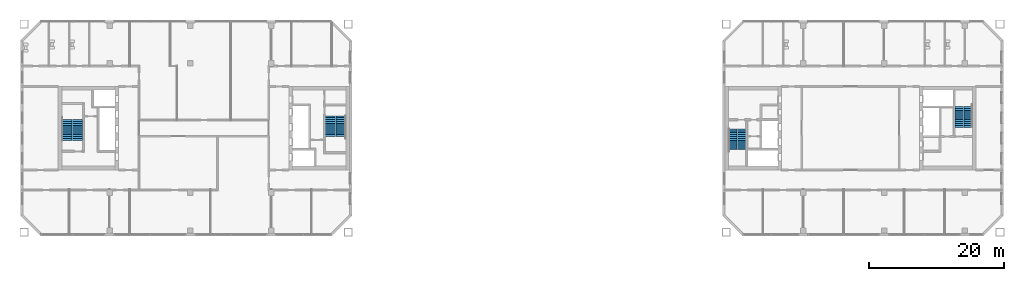
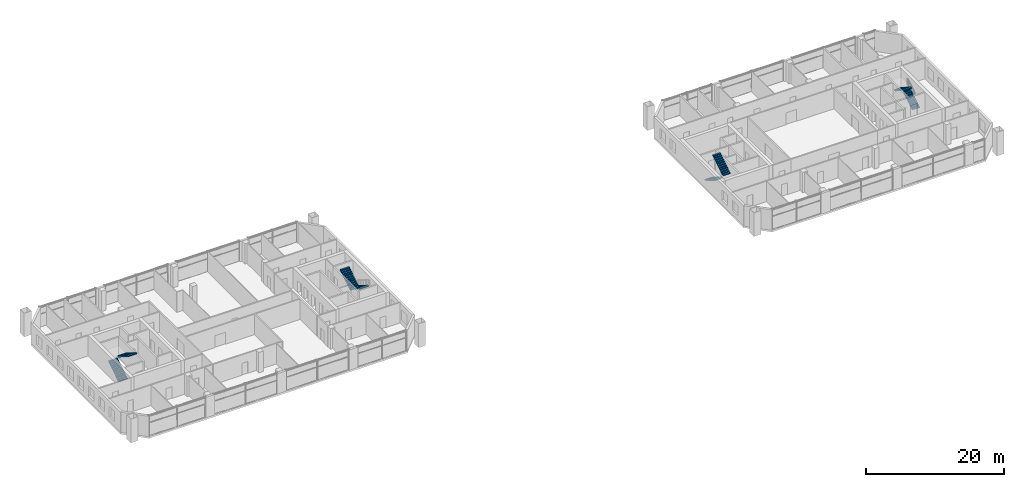
# One storey, part 15 of 17: 8 stair flights, 4 elements without a shape of their own.
"""IFC4 building model written with IfcOpenShell, lengths in metres."""

from ifc_helpers import new_model, si_unit, direction, frame, origin, place, context, subcontext, project, spatial, polyline, outline, extrude, material, type_object, element, aggregate, save


model = new_model("IFC4")

# Units and contexts
model_context = context("Model", 3, precision=1e-05, world=origin(), true_north=direction((0.0, 1.0)))
body_context = subcontext(model_context, "Body", "Model", "MODEL_VIEW")
ifc_project = project(units=[si_unit("LENGTHUNIT", "METRE"), si_unit("AREAUNIT", "SQUARE_METRE"), si_unit("VOLUMEUNIT", "CUBIC_METRE"), si_unit("PLANEANGLEUNIT", "RADIAN"), si_unit("MASSUNIT", "GRAM", prefix="KILO")], contexts=[model_context])

# Site, building, storey
site_placement = place(None, origin())
site = spatial("IfcSite", under=ifc_project, at=site_placement, CompositionType="ELEMENT")
building_placement = place(site_placement, origin())
building = spatial("IfcBuilding", under=site, at=building_placement, Name="Tuart Gate Housing", CompositionType="ELEMENT")
storey_placement = place(building_placement, frame((0.0, 0.0, 119.5)))
storey = spatial("IfcBuildingStorey", under=building, at=storey_placement, Name="L33", CompositionType="ELEMENT", Elevation=119.5)

# Stair, stair flights
ifc_material_1 = material(Name="Concrete C40", Category="concrete")
stair_type_1 = type_object("IfcStairType", Name="Core stair 1250", PredefinedType="HALF_TURN_STAIR", material=ifc_material_1)
stair_1_placement = place(storey_placement, origin())
stair_1 = element("IfcStair", 1, at=stair_1_placement, inside=storey, type_object=stair_type_1, Name="Stair SB1", PredefinedType="HALF_TURN_STAIR")
ifc_material_2 = material(Name="Concrete C40", Category="concrete")
stair_flight_type_1 = type_object("IfcStairFlightType", Name="Stair flight 1250, 12 risers 175 x 280", PredefinedType="STRAIGHT", material=ifc_material_2)
stair_flight_1_placement = place(storey_placement, frame((132.534912109375, 69.875, 0.0), z_axis=(0.0, 0.0, 1.0), x_axis=(0.0, -1.0, 0.0)))
stair_flight_1 = element("IfcStairFlight", 2, at=stair_flight_1_placement, type_object=stair_flight_type_1, Name="SB1 flight 1", NumberOfRisers=12, NumberOfTreads=11, PredefinedType="STRAIGHT", RiserHeight=0.175, TreadLength=0.28, context=body_context, shape_type="SweptSolid", body=[
    extrude(outline(polyline([(0.0, 0.0), (0.0, 0.175048828125), (0.280029296875, 0.175048828125), (0.280029296875, 0.35009765625), (0.56005859375, 0.35009765625), (0.56005859375, 0.52490234375), (0.840087890625, 0.52490234375), (0.840087890625, 0.699951171875), (1.1201171875, 0.699951171875), (1.1201171875, 0.875), (1.39990234375, 0.875), (1.39990234375, 1.050048828125), (1.679931640625, 1.050048828125), (1.679931640625, 1.22509765625), (1.9599609375, 1.22509765625), (1.9599609375, 1.39990234375), (2.239990234375, 1.39990234375), (2.239990234375, 1.574951171875), (2.52001953125, 1.574951171875), (2.52001953125, 1.75), (2.800048828125, 1.75), (2.800048828125, 1.925048828125), (3.080078125, 1.925048828125), (3.080078125, 2.10009765625), (3.080078125, 1.748291015625), (0.28271484375, 0.0), (0.0, 0.0)])), frame((0.0, 0.625, 0.0), z_axis=(0.0, -1.0, 0.0), x_axis=(1.0, 0.0, 0.0)), (0.0, 0.0, 1.0), 1.25),
])
stair_flight_2_placement = place(storey_placement, frame((133.860107421875, 66.794921875, 2.10009765625), z_axis=(0.0, 0.0, 1.0), x_axis=(0.0, 1.0, 0.0)))
stair_flight_2 = element("IfcStairFlight", 3, at=stair_flight_2_placement, type_object=stair_flight_type_1, Name="SB1 flight 2", NumberOfRisers=12, NumberOfTreads=11, PredefinedType="STRAIGHT", RiserHeight=0.175, TreadLength=0.28, context=body_context, shape_type="SweptSolid", body=[
    extrude(outline(polyline([(0.0, 0.0), (0.0, 0.175048828125), (0.280029296875, 0.175048828125), (0.280029296875, 0.35009765625), (0.56005859375, 0.35009765625), (0.56005859375, 0.52490234375), (0.840087890625, 0.52490234375), (0.840087890625, 0.699951171875), (1.1201171875, 0.699951171875), (1.1201171875, 0.875), (1.39990234375, 0.875), (1.39990234375, 1.050048828125), (1.679931640625, 1.050048828125), (1.679931640625, 1.22509765625), (1.9599609375, 1.22509765625), (1.9599609375, 1.39990234375), (2.239990234375, 1.39990234375), (2.239990234375, 1.574951171875), (2.52001953125, 1.574951171875), (2.52001953125, 1.75), (2.800048828125, 1.75), (2.800048828125, 1.925048828125), (3.080078125, 1.925048828125), (3.080078125, 2.10009765625), (3.080078125, 1.748291015625), (0.28271484375, 0.0), (0.0, 0.0)])), frame((0.0, 0.625, 0.0), z_axis=(0.0, -1.0, 0.0), x_axis=(1.0, 0.0, 0.0)), (0.0, 0.0, 1.0), 1.25),
])
aggregate(stair_1, [stair_flight_1, stair_flight_2])

stair_2_placement = place(storey_placement, origin())
stair_2 = element("IfcStair", 4, at=stair_2_placement, inside=storey, type_object=stair_type_1, Name="Stair SB2", PredefinedType="HALF_TURN_STAIR")
stair_flight_3_placement = place(storey_placement, frame((167.465087890625, 70.125, 0.0), z_axis=(0.0, 0.0, 1.0), x_axis=(0.0, 1.0, 0.0)))
stair_flight_3 = element("IfcStairFlight", 5, at=stair_flight_3_placement, type_object=stair_flight_type_1, Name="SB2 flight 1", NumberOfRisers=12, NumberOfTreads=11, PredefinedType="STRAIGHT", RiserHeight=0.175, TreadLength=0.28, context=body_context, shape_type="SweptSolid", body=[
    extrude(outline(polyline([(0.0, 0.0), (0.0, 0.175048828125), (0.280029296875, 0.175048828125), (0.280029296875, 0.35009765625), (0.56005859375, 0.35009765625), (0.56005859375, 0.52490234375), (0.840087890625, 0.52490234375), (0.840087890625, 0.699951171875), (1.1201171875, 0.699951171875), (1.1201171875, 0.875), (1.39990234375, 0.875), (1.39990234375, 1.050048828125), (1.679931640625, 1.050048828125), (1.679931640625, 1.22509765625), (1.9599609375, 1.22509765625), (1.9599609375, 1.39990234375), (2.239990234375, 1.39990234375), (2.239990234375, 1.574951171875), (2.52001953125, 1.574951171875), (2.52001953125, 1.75), (2.800048828125, 1.75), (2.800048828125, 1.925048828125), (3.080078125, 1.925048828125), (3.080078125, 2.10009765625), (3.080078125, 1.748291015625), (0.28271484375, 0.0), (0.0, 0.0)])), frame((0.0, 0.625, 0.0), z_axis=(0.0, -1.0, 0.0), x_axis=(1.0, 0.0, 0.0)), (0.0, 0.0, 1.0), 1.25),
])
stair_flight_4_placement = place(storey_placement, frame((166.139892578125, 73.205078125, 2.10009765625), z_axis=(0.0, 0.0, 1.0), x_axis=(0.0, -1.0, 0.0)))
stair_flight_4 = element("IfcStairFlight", 6, at=stair_flight_4_placement, type_object=stair_flight_type_1, Name="SB2 flight 2", NumberOfRisers=12, NumberOfTreads=11, PredefinedType="STRAIGHT", RiserHeight=0.175, TreadLength=0.28, context=body_context, shape_type="SweptSolid", body=[
    extrude(outline(polyline([(0.0, 0.0), (0.0, 0.175048828125), (0.280029296875, 0.175048828125), (0.280029296875, 0.35009765625), (0.56005859375, 0.35009765625), (0.56005859375, 0.52490234375), (0.840087890625, 0.52490234375), (0.840087890625, 0.699951171875), (1.1201171875, 0.699951171875), (1.1201171875, 0.875), (1.39990234375, 0.875), (1.39990234375, 1.050048828125), (1.679931640625, 1.050048828125), (1.679931640625, 1.22509765625), (1.9599609375, 1.22509765625), (1.9599609375, 1.39990234375), (2.239990234375, 1.39990234375), (2.239990234375, 1.574951171875), (2.52001953125, 1.574951171875), (2.52001953125, 1.75), (2.800048828125, 1.75), (2.800048828125, 1.925048828125), (3.080078125, 1.925048828125), (3.080078125, 2.10009765625), (3.080078125, 1.748291015625), (0.28271484375, 0.0), (0.0, 0.0)])), frame((0.0, 0.625, 0.0), z_axis=(0.0, -1.0, 0.0), x_axis=(1.0, 0.0, 0.0)), (0.0, 0.0, 1.0), 1.25),
])
aggregate(stair_2, [stair_flight_3, stair_flight_4])

ifc_material_3 = material(Name="Concrete C40", Category="concrete")
stair_type_2 = type_object("IfcStairType", Name="Core stair 1500", PredefinedType="HALF_TURN_STAIR", material=ifc_material_3)
stair_3_placement = place(storey_placement, origin())
stair_3 = element("IfcStair", 7, at=stair_3_placement, inside=storey, type_object=stair_type_2, Name="Stair SA1", PredefinedType="HALF_TURN_STAIR")
ifc_material_4 = material(Name="Concrete C40", Category="concrete")
stair_flight_type_2 = type_object("IfcStairFlightType", Name="Stair flight 1500, 12 risers 175 x 280", PredefinedType="STRAIGHT", material=ifc_material_4)
stair_flight_5_placement = place(storey_placement, frame((74.340087890625, 71.824951171875, 0.0), z_axis=(0.0, 0.0, 1.0), x_axis=(0.0, -1.0, 0.0)))
stair_flight_5 = element("IfcStairFlight", 8, at=stair_flight_5_placement, type_object=stair_flight_type_2, Name="SA1 flight 1", NumberOfRisers=12, NumberOfTreads=11, PredefinedType="STRAIGHT", RiserHeight=0.175, TreadLength=0.28, context=body_context, shape_type="SweptSolid", body=[
    extrude(outline(polyline([(0.0, 0.0), (0.0, 0.175048828125), (0.280029296875, 0.175048828125), (0.280029296875, 0.35009765625), (0.56005859375, 0.35009765625), (0.56005859375, 0.52490234375), (0.840087890625, 0.52490234375), (0.840087890625, 0.699951171875), (1.1201171875, 0.699951171875), (1.1201171875, 0.875), (1.39990234375, 0.875), (1.39990234375, 1.050048828125), (1.679931640625, 1.050048828125), (1.679931640625, 1.22509765625), (1.9599609375, 1.22509765625), (1.9599609375, 1.39990234375), (2.239990234375, 1.39990234375), (2.239990234375, 1.574951171875), (2.52001953125, 1.574951171875), (2.52001953125, 1.75), (2.800048828125, 1.75), (2.800048828125, 1.925048828125), (3.080078125, 1.925048828125), (3.080078125, 2.10009765625), (3.080078125, 1.748291015625), (0.28271484375, 0.0), (0.0, 0.0)])), frame((0.0, 0.75, 0.0), z_axis=(0.0, -1.0, 0.0), x_axis=(1.0, 0.0, 0.0)), (0.0, 0.0, 1.0), 1.5),
])
stair_flight_6_placement = place(storey_placement, frame((72.764892578125, 68.7451171875, 2.10009765625), z_axis=(0.0, 0.0, 1.0), x_axis=(0.0, 1.0, 0.0)))
stair_flight_6 = element("IfcStairFlight", 9, at=stair_flight_6_placement, type_object=stair_flight_type_2, Name="SA1 flight 2", NumberOfRisers=12, NumberOfTreads=11, PredefinedType="STRAIGHT", RiserHeight=0.175, TreadLength=0.28, context=body_context, shape_type="SweptSolid", body=[
    extrude(outline(polyline([(0.0, 0.0), (0.0, 0.175048828125), (0.280029296875, 0.175048828125), (0.280029296875, 0.35009765625), (0.56005859375, 0.35009765625), (0.56005859375, 0.52490234375), (0.840087890625, 0.52490234375), (0.840087890625, 0.699951171875), (1.1201171875, 0.699951171875), (1.1201171875, 0.875), (1.39990234375, 0.875), (1.39990234375, 1.050048828125), (1.679931640625, 1.050048828125), (1.679931640625, 1.22509765625), (1.9599609375, 1.22509765625), (1.9599609375, 1.39990234375), (2.239990234375, 1.39990234375), (2.239990234375, 1.574951171875), (2.52001953125, 1.574951171875), (2.52001953125, 1.75), (2.800048828125, 1.75), (2.800048828125, 1.925048828125), (3.080078125, 1.925048828125), (3.080078125, 2.10009765625), (3.080078125, 1.748291015625), (0.28271484375, 0.0), (0.0, 0.0)])), frame((0.0, 0.75, 0.0), z_axis=(0.0, -1.0, 0.0), x_axis=(1.0, 0.0, 0.0)), (0.0, 0.0, 1.0), 1.5),
])
aggregate(stair_3, [stair_flight_5, stair_flight_6])

stair_4_placement = place(storey_placement, origin())
stair_4 = element("IfcStair", 10, at=stair_4_placement, inside=storey, type_object=stair_type_2, Name="Stair SA2", PredefinedType="HALF_TURN_STAIR")
stair_flight_7_placement = place(storey_placement, frame((33.659912109375, 68.175048828125, 0.0), z_axis=(0.0, 0.0, 1.0), x_axis=(0.0, 1.0, 0.0)))
stair_flight_7 = element("IfcStairFlight", 11, at=stair_flight_7_placement, type_object=stair_flight_type_2, Name="SA2 flight 1", NumberOfRisers=12, NumberOfTreads=11, PredefinedType="STRAIGHT", RiserHeight=0.175, TreadLength=0.28, context=body_context, shape_type="SweptSolid", body=[
    extrude(outline(polyline([(0.0, 0.0), (0.0, 0.175048828125), (0.280029296875, 0.175048828125), (0.280029296875, 0.35009765625), (0.56005859375, 0.35009765625), (0.56005859375, 0.52490234375), (0.840087890625, 0.52490234375), (0.840087890625, 0.699951171875), (1.1201171875, 0.699951171875), (1.1201171875, 0.875), (1.39990234375, 0.875), (1.39990234375, 1.050048828125), (1.679931640625, 1.050048828125), (1.679931640625, 1.22509765625), (1.9599609375, 1.22509765625), (1.9599609375, 1.39990234375), (2.239990234375, 1.39990234375), (2.239990234375, 1.574951171875), (2.52001953125, 1.574951171875), (2.52001953125, 1.75), (2.800048828125, 1.75), (2.800048828125, 1.925048828125), (3.080078125, 1.925048828125), (3.080078125, 2.10009765625), (3.080078125, 1.748291015625), (0.28271484375, 0.0), (0.0, 0.0)])), frame((0.0, 0.75, 0.0), z_axis=(0.0, -1.0, 0.0), x_axis=(1.0, 0.0, 0.0)), (0.0, 0.0, 1.0), 1.5),
])
stair_flight_8_placement = place(storey_placement, frame((35.235107421875, 71.2548828125, 2.10009765625), z_axis=(0.0, 0.0, 1.0), x_axis=(0.0, -1.0, 0.0)))
stair_flight_8 = element("IfcStairFlight", 12, at=stair_flight_8_placement, type_object=stair_flight_type_2, Name="SA2 flight 2", NumberOfRisers=12, NumberOfTreads=11, PredefinedType="STRAIGHT", RiserHeight=0.175, TreadLength=0.28, context=body_context, shape_type="SweptSolid", body=[
    extrude(outline(polyline([(0.0, 0.0), (0.0, 0.175048828125), (0.280029296875, 0.175048828125), (0.280029296875, 0.35009765625), (0.56005859375, 0.35009765625), (0.56005859375, 0.52490234375), (0.840087890625, 0.52490234375), (0.840087890625, 0.699951171875), (1.1201171875, 0.699951171875), (1.1201171875, 0.875), (1.39990234375, 0.875), (1.39990234375, 1.050048828125), (1.679931640625, 1.050048828125), (1.679931640625, 1.22509765625), (1.9599609375, 1.22509765625), (1.9599609375, 1.39990234375), (2.239990234375, 1.39990234375), (2.239990234375, 1.574951171875), (2.52001953125, 1.574951171875), (2.52001953125, 1.75), (2.800048828125, 1.75), (2.800048828125, 1.925048828125), (3.080078125, 1.925048828125), (3.080078125, 2.10009765625), (3.080078125, 1.748291015625), (0.28271484375, 0.0), (0.0, 0.0)])), frame((0.0, 0.75, 0.0), z_axis=(0.0, -1.0, 0.0), x_axis=(1.0, 0.0, 0.0)), (0.0, 0.0, 1.0), 1.5),
])
aggregate(stair_4, [stair_flight_7, stair_flight_8])

save(model, "model.ifc")
